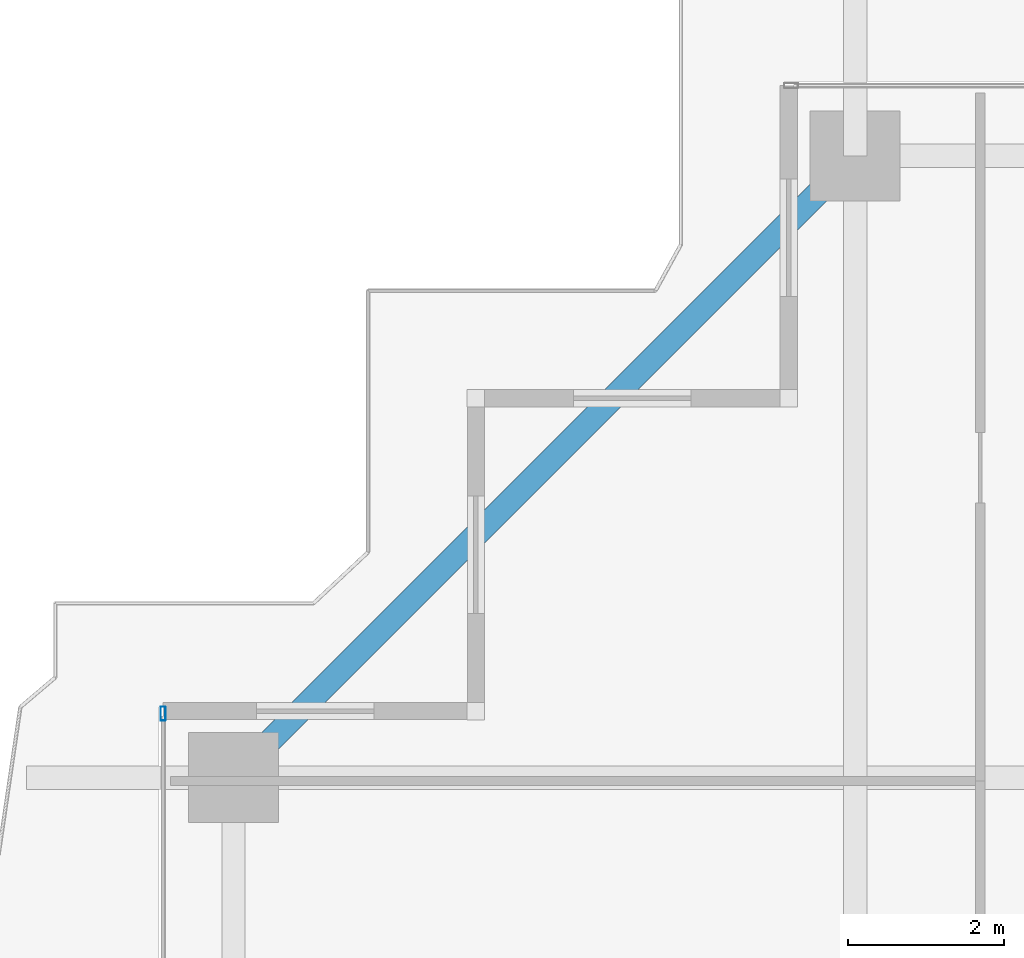
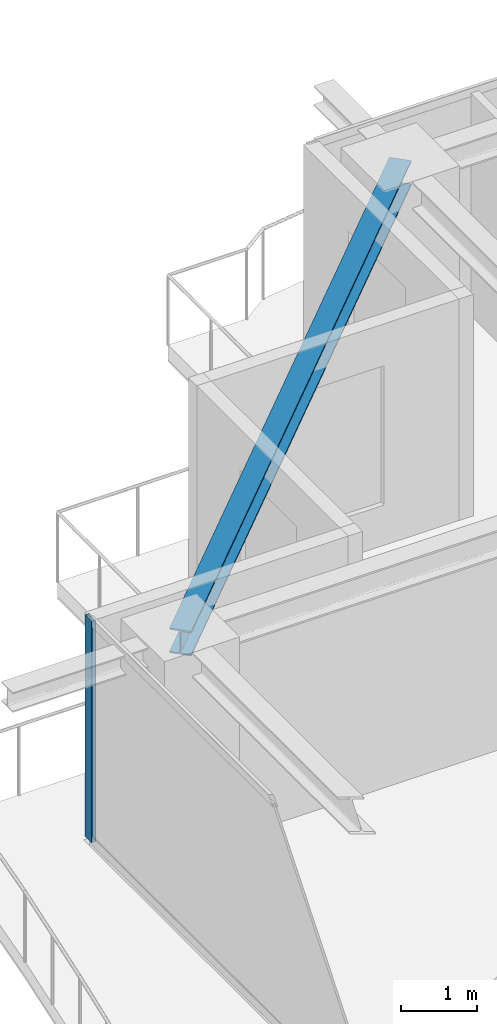
# One storey, part 19 of 38: 1 beam, 1 member, 1 element without a shape of its own.
"""IFC4 building model written with IfcOpenShell, lengths in metres."""

from ifc_helpers import new_model, si_unit, direction, frame, origin, origin_2d, place, context, subcontext, project, spatial, hollow_rectangle, i_section, extrude, source, transform, mapped, material, layer, layer_set, material_profile, profile_set, type_object, element, aggregate, save


model = new_model("IFC4")

# Units and contexts
model_context = context("Model", 3, precision=1e-05, world=origin(), true_north=direction((0.0, 1.0)))
body_context = subcontext(model_context, "Body", "Model", "MODEL_VIEW")
ifc_project = project(units=[si_unit("LENGTHUNIT", "METRE"), si_unit("AREAUNIT", "SQUARE_METRE"), si_unit("VOLUMEUNIT", "CUBIC_METRE"), si_unit("PLANEANGLEUNIT", "RADIAN"), si_unit("MASSUNIT", "GRAM", prefix="KILO")], contexts=[model_context])

# Site, building, storey
site_placement = place(None, origin())
site = spatial("IfcSite", under=ifc_project, at=site_placement, CompositionType="ELEMENT")
building_placement = place(site_placement, origin())
building = spatial("IfcBuilding", under=site, at=building_placement, Name="Serunith Strait Residences", CompositionType="ELEMENT")
storey_placement = place(building_placement, frame((0.0, 0.0, 237.39990234375)))
storey = spatial("IfcBuildingStorey", under=building, at=storey_placement, Name="L59", CompositionType="ELEMENT", Elevation=237.39990234375)

# Beam
ifc_material_1 = material(Name="Steel S355J2", Category="steel")
ifc_material_profile_1 = material_profile(ifc_material_1, i_section(OverallWidth=0.300048828125, OverallDepth=0.39990234375, WebThickness=0.013427734375, FlangeThickness=0.02392578125, FilletRadius=0.027099609375, at=origin_2d()), Name="HEB 400")
ifc_profile_set_1 = profile_set([ifc_material_profile_1], Name="Steel S355J2")
beam_type = type_object("IfcBeamType", Name="BM-HEB400", PredefinedType="BEAM", material=ifc_profile_set_1)
shared_shape_1 = source(origin(), body_context, "Body", "SweptSolid", [
    extrude(i_section(OverallWidth=0.300048828125, OverallDepth=0.39990234375, WebThickness=0.013427734375, FlangeThickness=0.02392578125, FilletRadius=0.027099609375, at=origin_2d()), origin(), (0.0, 0.0, 1.0), 11.242919921875),
])
beam_placement = place(storey_placement, frame((16.25, 48.300048828125, 3.357177734375), z_axis=(-0.707106781187, -0.707106781187, 0.0), x_axis=(0.707106781187, -0.707106781187, 0.0)))
element("IfcBeam", 1, at=beam_placement, inside=storey, type_object=beam_type, Name="L59 Perimeter Ring Beam 12", PredefinedType="BEAM", context=body_context, shape_type="MappedRepresentation", body=[
    mapped(shared_shape_1, transform((0.0, 0.0, 0.0), scale=1.0)),
])

# Curtain wall, member
ifc_material_2 = material(Name="Pale-Champagne Anodised Aluminium", Category="aluminium")
ifc_layer = layer(ifc_material_2, 0.199951171875, Name="Pale-Champagne Anodised Aluminium")
ifc_layer_set = layer_set([ifc_layer], Name="Pale-Champagne Anodised Aluminium")
curtain_wall_type = type_object("IfcCurtainWallType", Name="CW-SYS4", PredefinedType="NOTDEFINED", material=ifc_layer_set)
curtain_wall_placement = place(storey_placement, origin())
curtain_wall = element("IfcCurtainWall", 2, at=curtain_wall_placement, inside=storey, type_object=curtain_wall_type, Name="L59 W Unitised Fritted Curtain Wall", PredefinedType="NOTDEFINED")
ifc_material_profile_2 = material_profile(ifc_material_2, hollow_rectangle(XDim=0.06494140625, YDim=0.179931640625, WallThickness=0.00341796875, InnerFilletRadius=0.00537109375, OuterFilletRadius=0.0087890625, at=origin_2d()), Name="ALU 180x65x3.5")
ifc_profile_set_2 = profile_set([ifc_material_profile_2], Name="Pale-Champagne Anodised Aluminium")
member_type = type_object("IfcMemberType", Name="CW-SYS4-MULL", PredefinedType="MULLION", material=ifc_profile_set_2)
shared_shape_2 = source(origin(), body_context, "Body", "SweptSolid", [
    extrude(hollow_rectangle(XDim=0.06494140625, YDim=0.179931640625, WallThickness=0.00341796875, InnerFilletRadius=0.00537109375, OuterFilletRadius=0.0087890625, at=origin_2d()), origin(), (0.0, 0.0, 1.0), 3.5751953125),
])
member_placement = place(storey_placement, frame((7.39990234375, 41.16748046875, 0.0), z_axis=(0.0, 0.0, 1.0), x_axis=(1.0, 0.0, 0.0)))
member = element("IfcMember", 3, at=member_placement, type_object=member_type, Name="CW-4 mullion 1", PredefinedType="MULLION", context=body_context, shape_type="MappedRepresentation", body=[
    mapped(shared_shape_2, transform((0.0, 0.0, 0.0), scale=1.0)),
])
aggregate(curtain_wall, [member])

save(model, "model.ifc")
